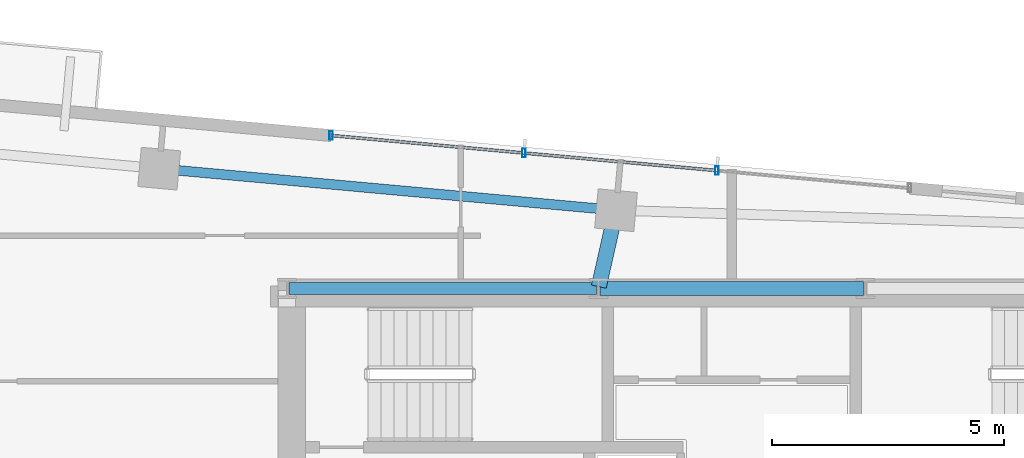
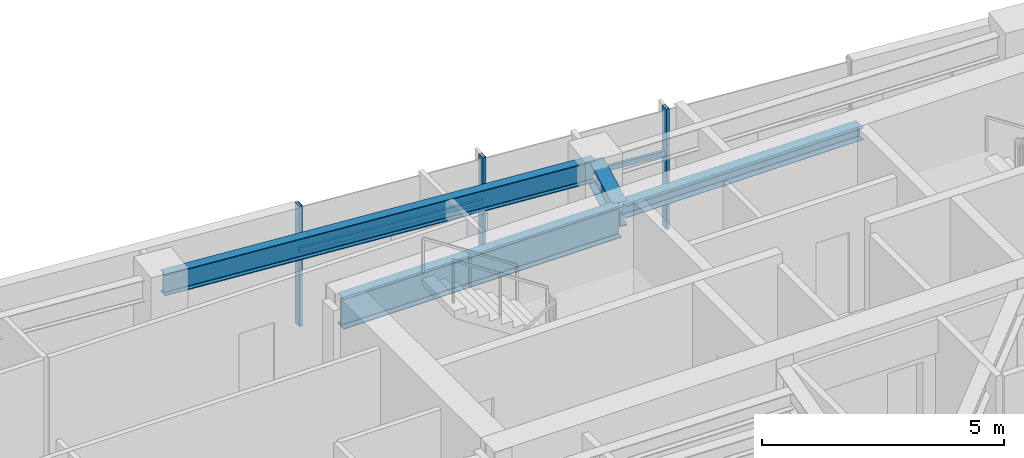
# One storey, part 10 of 22: 5 members, 4 beams, 1 element without a shape of its own.
"""IFC4 building model written with IfcOpenShell, lengths in metres."""

from ifc_helpers import new_model, si_unit, direction, frame, origin, origin_2d, place, context, subcontext, project, spatial, hollow_rectangle, i_section, extrude, source, transform, mapped, material, material_profile, profile_set, type_object, type_shapes, element, aggregate, save


model = new_model("IFC4")

# Units and contexts
model_context = context("Model", 3, precision=1e-05, world=origin(), true_north=direction((0.0, 1.0)))
body_context = subcontext(model_context, "Body", "Model", "MODEL_VIEW")
ifc_project = project(units=[si_unit("LENGTHUNIT", "METRE"), si_unit("AREAUNIT", "SQUARE_METRE"), si_unit("VOLUMEUNIT", "CUBIC_METRE"), si_unit("PLANEANGLEUNIT", "RADIAN"), si_unit("MASSUNIT", "GRAM", prefix="KILO")], contexts=[model_context])

# Site, building, storey
site_placement = place(None, origin())
site = spatial("IfcSite", under=ifc_project, at=site_placement, CompositionType="ELEMENT")
building_placement = place(site_placement, origin())
building = spatial("IfcBuilding", under=site, at=building_placement, Name="Astriad Promenade Condominiums", CompositionType="ELEMENT")
storey_placement = place(building_placement, frame((0.0, 0.0, 236.39990234375)))
storey = spatial("IfcBuildingStorey", under=building, at=storey_placement, Name="L68", CompositionType="ELEMENT", Elevation=236.39990234375)

# Beams
ifc_material_1 = material(Name="Steel ASTM A992 Grade 50", Category="steel")
ifc_material_profile_1 = material_profile(ifc_material_1, i_section(OverallWidth=0.267822265625, OverallDepth=0.76953125, WebThickness=0.015625, FlangeThickness=0.025390625, FilletRadius=0.021484375, at=origin_2d()), Name="W30X132")
ifc_profile_set_1 = profile_set([ifc_material_profile_1], Name="Steel ASTM A992 Grade 50")
beam_type_1 = type_object("IfcBeamType", Name="STEEL FLOOR GIRDER W30X132", PredefinedType="BEAM", material=ifc_profile_set_1)
shared_shape_1 = source(origin(), body_context, "Body", "SweptSolid", [
    extrude(i_section(OverallWidth=0.267822265625, OverallDepth=0.76953125, WebThickness=0.015625, FlangeThickness=0.025390625, FilletRadius=0.021484375, at=origin_2d()), origin(), (0.0, 0.0, 1.0), 6.64013671875),
])
type_shapes(beam_type_1, [shared_shape_1])
beam_1_placement = place(storey_placement, frame((26.43994140625, 24.0, 2.6552734375), z_axis=(1.0, 0.0, 0.0), x_axis=(0.0, 1.0, 0.0)))
element("IfcBeam", 1, at=beam_1_placement, inside=storey, type_object=beam_type_1, Name="Core Ring Beam CG-N1-L68", PredefinedType="BEAM", context=body_context, shape_type="MappedRepresentation", body=[
    mapped(shared_shape_1, transform((0.0, 0.0, 0.0), scale=1.0)),
])
ifc_material_profile_2 = material_profile(ifc_material_1, i_section(OverallWidth=0.3046875, OverallDepth=0.307861328125, WebThickness=0.010009765625, FlangeThickness=0.015380859375, FilletRadius=0.01513671875, at=origin_2d()), Name="W12X65")
ifc_profile_set_2 = profile_set([ifc_material_profile_2], Name="Steel ASTM A992 Grade 50")
beam_type_2 = type_object("IfcBeamType", Name="STEEL OPENING LINTEL W12X65", PredefinedType="LINTEL", material=ifc_profile_set_2)
shared_shape_2 = source(origin(), body_context, "Body", "SweptSolid", [
    extrude(i_section(OverallWidth=0.3046875, OverallDepth=0.307861328125, WebThickness=0.010009765625, FlangeThickness=0.015380859375, FilletRadius=0.01513671875, at=origin_2d()), origin(), (0.0, 0.0, 1.0), 5.68017578125),
])
type_shapes(beam_type_2, [shared_shape_2])
beam_2_placement = place(storey_placement, frame((33.159912109375, 24.0, 2.88623046875), z_axis=(1.0, 0.0, 0.0), x_axis=(0.0, 1.0, 0.0)))
element("IfcBeam", 2, at=beam_2_placement, inside=storey, type_object=beam_type_2, Name="Core Ring Beam CG-N2-L68", PredefinedType="LINTEL", context=body_context, shape_type="MappedRepresentation", body=[
    mapped(shared_shape_2, transform((0.0, 0.0, 0.0), scale=1.0)),
])
ifc_material_profile_3 = material_profile(ifc_material_1, i_section(OverallWidth=0.210693359375, OverallDepth=0.53955078125, WebThickness=0.01171875, FlangeThickness=0.018798828125, FilletRadius=0.0166015625, at=origin_2d()), Name="W21X73")
ifc_profile_set_3 = profile_set([ifc_material_profile_3], Name="Steel ASTM A992 Grade 50")
beam_type_3 = type_object("IfcBeamType", Name="STEEL SPANDREL BEAM W21X73", PredefinedType="SPANDREL", material=ifc_profile_set_3)
shared_shape_3 = source(origin(), body_context, "Body", "SweptSolid", [
    extrude(i_section(OverallWidth=0.210693359375, OverallDepth=0.53955078125, WebThickness=0.01171875, FlangeThickness=0.018798828125, FilletRadius=0.0166015625, at=origin_2d()), origin(), (0.0, 0.0, 1.0), 9.820068359375),
])
type_shapes(beam_type_3, [shared_shape_3])
beam_3_placement = place(storey_placement, frame((33.4599609375, 25.69189453125, 2.7705078125), z_axis=(-0.995885663174, 0.090618683965, 0.0), x_axis=(-0.090618683965, -0.995885663174, 0.0)))
element("IfcBeam", 3, at=beam_3_placement, inside=storey, type_object=beam_type_3, Name="Perimeter Spandrel Beam SP-N2-L68", PredefinedType="SPANDREL", context=body_context, shape_type="MappedRepresentation", body=[
    mapped(shared_shape_3, transform((0.0, 0.0, 0.0), scale=1.0)),
])
ifc_material_profile_4 = material_profile(ifc_material_1, i_section(OverallWidth=0.326416015625, OverallDepth=0.621826171875, WebThickness=0.015380859375, FlangeThickness=0.0244140625, FilletRadius=0.017822265625, at=origin_2d()), Name="W24X131")
ifc_profile_set_4 = profile_set([ifc_material_profile_4], Name="Steel ASTM A992 Grade 50")
beam_type_4 = type_object("IfcBeamType", Name="STEEL FLOOR GIRDER W24X131", PredefinedType="BEAM", material=ifc_profile_set_4)
shared_shape_4 = source(origin(), body_context, "Body", "SweptSolid", [
    extrude(i_section(OverallWidth=0.326416015625, OverallDepth=0.621826171875, WebThickness=0.015380859375, FlangeThickness=0.0244140625, FilletRadius=0.017822265625, at=origin_2d()), origin(), (0.0, 0.0, 1.0), 1.650390625),
])
type_shapes(beam_type_4, [shared_shape_4])
beam_4_placement = place(storey_placement, frame((33.490966796875, 25.649169921875, 2.729248046875), z_axis=(-0.219388986766, -0.975637469804, 0.0), x_axis=(0.975637469804, -0.219388986766, 0.0)))
element("IfcBeam", 4, at=beam_4_placement, inside=storey, type_object=beam_type_4, Name="Primary Floor Girder PG-NC-L68", PredefinedType="BEAM", context=body_context, shape_type="MappedRepresentation", body=[
    mapped(shared_shape_4, transform((0.0, 0.0, 0.0), scale=1.0)),
])

# Curtain wall, members
ifc_material_2 = material(Name="Anodised aluminium Black Dark Glass Unitised", Category="aluminium")
curtain_wall_type = type_object("IfcCurtainWallType", Name="CW-B5-DARK", PredefinedType="USERDEFINED", material=ifc_material_2)
curtain_wall_placement = place(storey_placement, origin())
curtain_wall = element("IfcCurtainWall", 5, at=curtain_wall_placement, inside=storey, type_object=curtain_wall_type, Name="CW-L68-N", ObjectType="UNITISED_CURTAIN_WALL", PredefinedType="USERDEFINED")
ifc_material_3 = material(Name="Anodised aluminium 6063-T6 Black", Category="aluminium")
ifc_material_profile_5 = material_profile(ifc_material_3, hollow_rectangle(XDim=0.06494140625, YDim=0.1298828125, WallThickness=0.00390625, at=origin_2d()), Name="ALU-TRN-65X130")
ifc_profile_set_5 = profile_set([ifc_material_profile_5], Name="Anodised aluminium 6063-T6 Black")
member_type_1 = type_object("IfcMemberType", Name="TRN-ALU-TRN-65X130", PredefinedType="USERDEFINED", material=ifc_profile_set_5)
shared_shape_5 = source(origin(), body_context, "Body", "SweptSolid", [
    extrude(hollow_rectangle(XDim=0.06494140625, YDim=0.1298828125, WallThickness=0.00390625, at=origin_2d()), origin(), (0.0, 0.0, 1.0), 4.179931640625),
])
type_shapes(member_type_1, [shared_shape_5])
member_1_placement = place(storey_placement, frame((27.3505859375, 27.30224609375, 1.885009765625), z_axis=(0.995883146811, -0.090646334165, 0.0), x_axis=(0.090646334165, 0.995883146811, 0.0)))
member_1 = element("IfcMember", 6, at=member_1_placement, type_object=member_type_1, Name="CW-L68-N-TRN-00-0", ObjectType="TRANSOM", PredefinedType="USERDEFINED", context=body_context, shape_type="MappedRepresentation", body=[
    mapped(shared_shape_5, transform((0.0, 0.0, 0.0), scale=1.0)),
])
member_2_placement = place(storey_placement, frame((31.513427734375, 26.92333984375, 1.885009765625), z_axis=(0.995883146811, -0.090646334165, 0.0), x_axis=(0.090646334165, 0.995883146811, 0.0)))
member_2 = element("IfcMember", 7, at=member_2_placement, type_object=member_type_1, Name="CW-L68-N-TRN-01-0", ObjectType="TRANSOM", PredefinedType="USERDEFINED", context=body_context, shape_type="MappedRepresentation", body=[
    mapped(shared_shape_5, transform((0.0, 0.0, 0.0), scale=1.0)),
])
ifc_material_profile_6 = material_profile(ifc_material_3, hollow_rectangle(XDim=0.074951171875, YDim=0.18505859375, WallThickness=0.00439453125, at=origin_2d()), Name="ALU-MUL-75X185")
ifc_profile_set_6 = profile_set([ifc_material_profile_6], Name="Anodised aluminium 6063-T6 Black")
member_type_2 = type_object("IfcMemberType", Name="MUL-ALU-MUL-75X185", PredefinedType="MULLION", material=ifc_profile_set_6)
shared_shape_6 = source(origin(), body_context, "Body", "SweptSolid", [
    extrude(hollow_rectangle(XDim=0.074951171875, YDim=0.18505859375, WallThickness=0.00439453125, at=origin_2d()), origin(), (0.0, 0.0, 1.0), 3.0400390625),
])
type_shapes(member_type_2, [shared_shape_6])
member_3_placement = place(storey_placement, frame((27.3505859375, 27.30224609375, 0.0), z_axis=(0.0, 0.0, 1.0), x_axis=(1.0, 0.0, 0.0)))
member_3 = element("IfcMember", 8, at=member_3_placement, type_object=member_type_2, Name="CW-L68-N-MUL-00", PredefinedType="MULLION", context=body_context, shape_type="MappedRepresentation", body=[
    mapped(shared_shape_6, transform((0.0, 0.0, 0.0), scale=1.0)),
])
member_4_placement = place(storey_placement, frame((31.513427734375, 26.92333984375, 0.0), z_axis=(0.0, 0.0, 1.0), x_axis=(1.0, 0.0, 0.0)))
member_4 = element("IfcMember", 9, at=member_4_placement, type_object=member_type_2, Name="CW-L68-N-MUL-01", PredefinedType="MULLION", context=body_context, shape_type="MappedRepresentation", body=[
    mapped(shared_shape_6, transform((0.0, 0.0, 0.0), scale=1.0)),
])
member_5_placement = place(storey_placement, frame((35.67626953125, 26.54443359375, 0.0), z_axis=(0.0, 0.0, 1.0), x_axis=(1.0, 0.0, 0.0)))
member_5 = element("IfcMember", 10, at=member_5_placement, type_object=member_type_2, Name="CW-L68-N-MUL-02", PredefinedType="MULLION", context=body_context, shape_type="MappedRepresentation", body=[
    mapped(shared_shape_6, transform((0.0, 0.0, 0.0), scale=1.0)),
])
aggregate(curtain_wall, [member_3, member_4, member_5, member_1, member_2])

save(model, "model.ifc")
